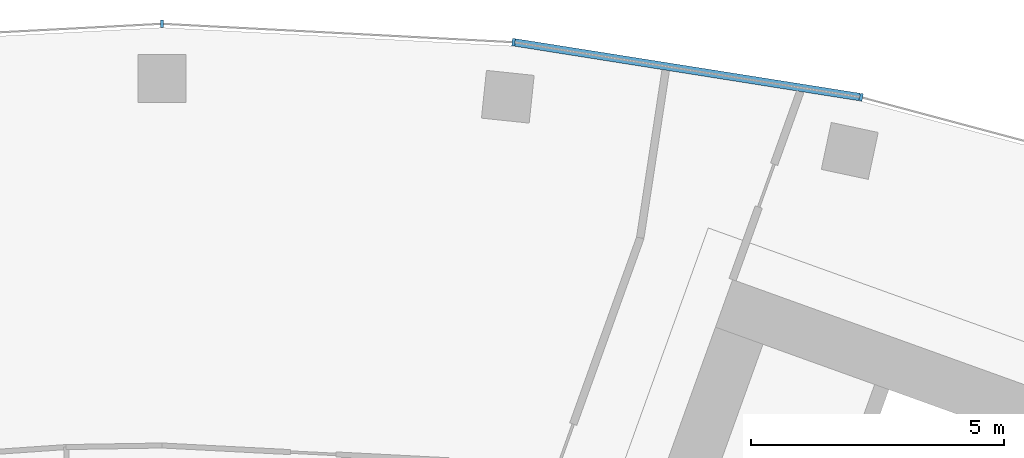
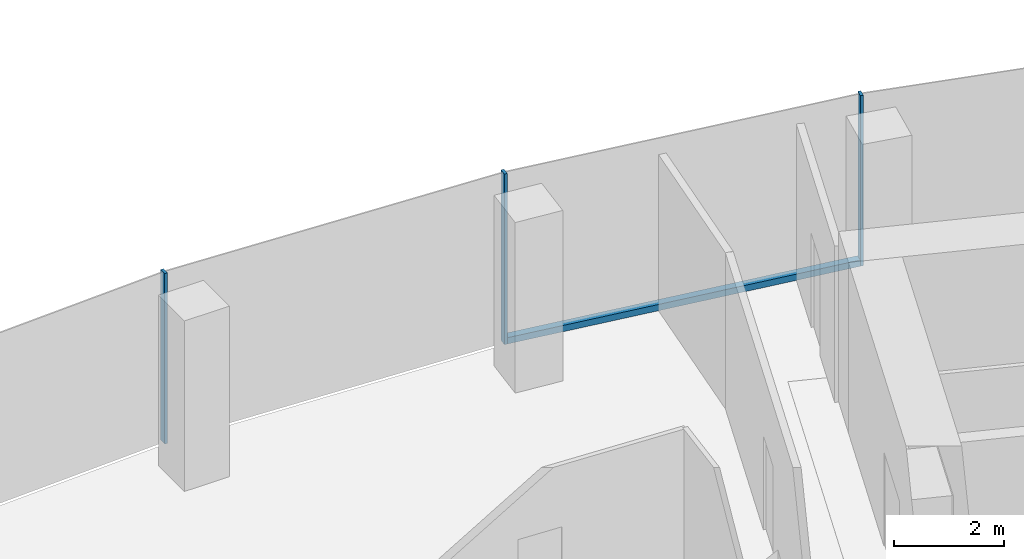
# One storey, part 6 of 19: 4 members, 1 element without a shape of its own.
"""IFC4 building model written with IfcOpenShell, lengths in metres."""

from ifc_helpers import new_model, si_unit, direction, frame, origin, origin_2d, place, context, subcontext, project, spatial, rectangle, extrude, material, layer, layer_set, material_profile, profile_set, type_object, element, aggregate, save


model = new_model("IFC4")

# Units and contexts
model_context = context("Model", 3, precision=1e-05, world=origin(), true_north=direction((0.0, 1.0)))
body_context = subcontext(model_context, "Body", "Model", "MODEL_VIEW")
ifc_project = project(units=[si_unit("LENGTHUNIT", "METRE"), si_unit("AREAUNIT", "SQUARE_METRE"), si_unit("VOLUMEUNIT", "CUBIC_METRE"), si_unit("PLANEANGLEUNIT", "RADIAN"), si_unit("MASSUNIT", "GRAM", prefix="KILO")], contexts=[model_context])

# Site, building, storey
site_placement = place(None, origin())
site = spatial("IfcSite", under=ifc_project, at=site_placement, CompositionType="ELEMENT")
building_placement = place(site_placement, origin())
building = spatial("IfcBuilding", under=site, at=building_placement, Name="Stone Belt Terrace Tower", CompositionType="ELEMENT")
storey_placement = place(building_placement, frame((0.0, 0.0, 208.60009765625)))
storey = spatial("IfcBuildingStorey", under=building, at=storey_placement, Name="L50", CompositionType="ELEMENT", Elevation=208.60009765625)

# Curtain wall, members
ifc_material = material(Name="Aluminium 6063-T6 anodised frame", Category="aluminium")
ifc_layer = layer(ifc_material, 0.14990234375)
ifc_layer_set = layer_set([ifc_layer], Name="CW-A unitised convex-face curtain wall")
curtain_wall_type = type_object("IfcCurtainWallType", Name="CW-A unitised convex-face curtain wall", PredefinedType="NOTDEFINED", material=ifc_layer_set)
curtain_wall_placement = place(storey_placement, origin())
curtain_wall = element("IfcCurtainWall", 1, at=curtain_wall_placement, inside=storey, type_object=curtain_wall_type, Name="CW-A convex face L50", PredefinedType="NOTDEFINED")
ifc_material_profile_1 = material_profile(ifc_material, rectangle(XDim=0.14990234375, YDim=0.06005859375, at=origin_2d()), Name="Aluminium 6063-T6 60x150")
ifc_profile_set_1 = profile_set([ifc_material_profile_1], Name="Aluminium 6063-T6 anodised frame")
member_type_1 = type_object("IfcMemberType", Name="CW-A mullion 60 x 150", PredefinedType="MULLION", material=ifc_profile_set_1)
member_1_placement = place(storey_placement, frame((13.841796875, 65.120361328125, 0.0), z_axis=(0.0, 0.0, 1.0), x_axis=(-0.207911690818, -0.978147600734, 0.0)))
member_1 = element("IfcMember", 2, at=member_1_placement, type_object=member_type_1, Name="CW-A mullion 7", PredefinedType="MULLION", context=body_context, shape_type="SweptSolid", body=[
    extrude(rectangle(XDim=0.14990234375, YDim=0.06005859375, at=origin_2d()), origin(), (0.0, 0.0, 1.0), 3.7998046875),
])
member_2_placement = place(storey_placement, frame((6.958984375, 66.21044921875, 0.0), z_axis=(0.0, 0.0, 1.0), x_axis=(-0.104528463268, -0.994521895368, 0.0)))
member_2 = element("IfcMember", 3, at=member_2_placement, type_object=member_type_1, Name="CW-A mullion 8", PredefinedType="MULLION", context=body_context, shape_type="SweptSolid", body=[
    extrude(rectangle(XDim=0.14990234375, YDim=0.06005859375, at=origin_2d()), origin(), (0.0, 0.0, 1.0), 3.7998046875),
])
member_3_placement = place(storey_placement, frame((0.0, 66.5751953125, 0.0), z_axis=(0.0, 0.0, 1.0), x_axis=(0.0, -1.0, 0.0)))
member_3 = element("IfcMember", 4, at=member_3_placement, type_object=member_type_1, Name="CW-A mullion 9", PredefinedType="MULLION", context=body_context, shape_type="SweptSolid", body=[
    extrude(rectangle(XDim=0.14990234375, YDim=0.06005859375, at=origin_2d()), origin(), (0.0, 0.0, 1.0), 3.7998046875),
])
ifc_material_profile_2 = material_profile(ifc_material, rectangle(XDim=0.14990234375, YDim=0.139892578125, at=origin_2d()), Name="Aluminium 6063-T6 150x140")
ifc_profile_set_2 = profile_set([ifc_material_profile_2], Name="Aluminium 6063-T6 anodised frame")
member_type_2 = type_object("IfcMemberType", Name="CW-A transom 140 x 150", PredefinedType="USERDEFINED", material=ifc_profile_set_2)
member_4_placement = place(storey_placement, frame((13.808349609375, 65.12548828125, 0.06982421875), z_axis=(-0.987687120531, 0.156442168027, 0.0), x_axis=(-0.156442168027, -0.987687120531, 0.0)))
member_4 = element("IfcMember", 5, at=member_4_placement, type_object=member_type_2, Name="CW-A transom 7.1", ObjectType="TRANSOM", PredefinedType="USERDEFINED", context=body_context, shape_type="SweptSolid", body=[
    extrude(rectangle(XDim=0.14990234375, YDim=0.139892578125, at=origin_2d()), origin(), (0.0, 0.0, 1.0), 6.90087890625),
])
aggregate(curtain_wall, [member_1, member_2, member_3, member_4])

save(model, "model.ifc")
